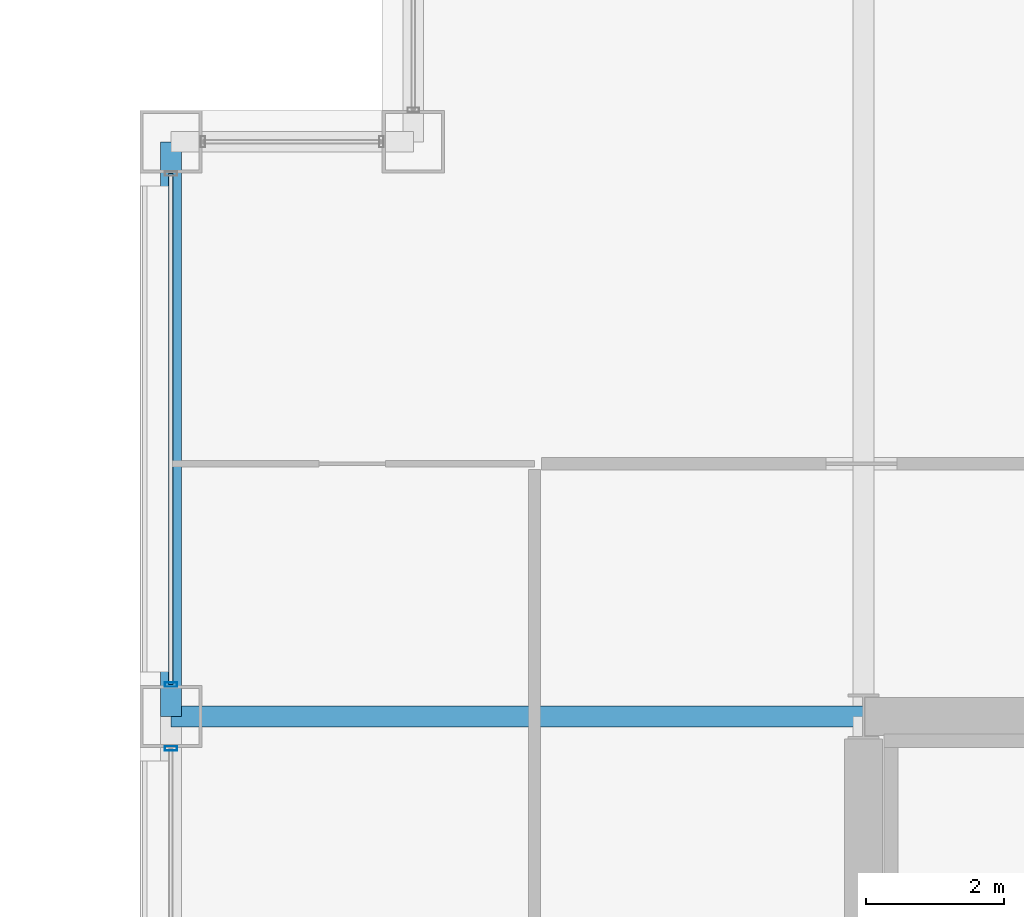
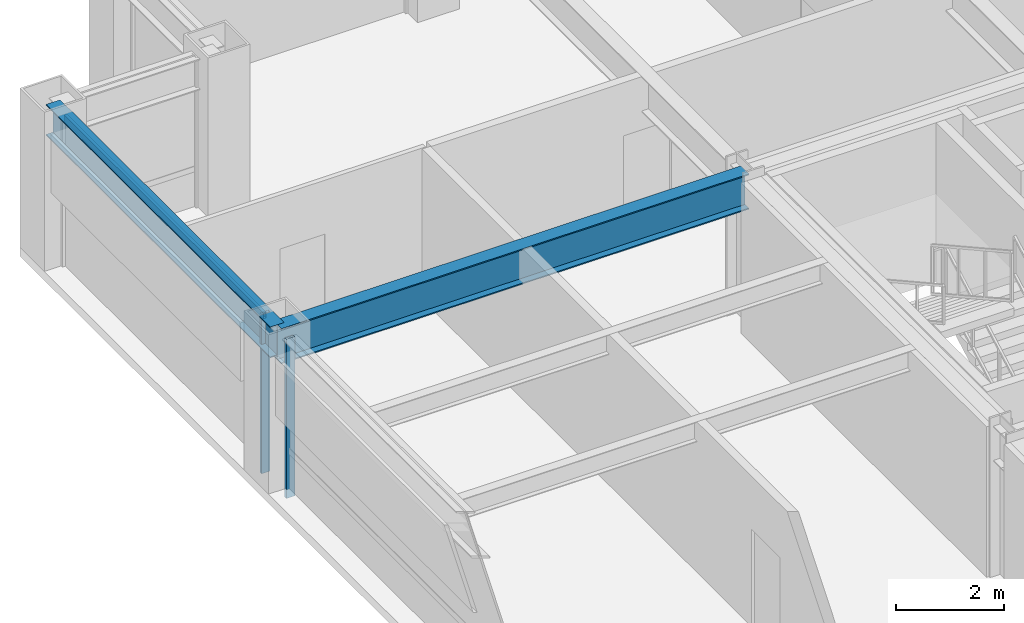
# One storey, part 13 of 28: 3 members, 2 beams, 2 elements without a shape of their own.
"""IFC4 building model written with IfcOpenShell, lengths in metres."""

from ifc_helpers import new_model, si_unit, direction, frame, origin, origin_2d, place, context, subcontext, project, spatial, hollow_rectangle, i_section, extrude, material, layer, layer_set, material_profile, profile_set, type_object, element, aggregate, save


model = new_model("IFC4")

# Units and contexts
model_context = context("Model", 3, precision=1e-05, world=origin(), true_north=direction((0.0, 1.0)))
body_context = subcontext(model_context, "Body", "Model", "MODEL_VIEW")
ifc_project = project(units=[si_unit("LENGTHUNIT", "METRE"), si_unit("AREAUNIT", "SQUARE_METRE"), si_unit("VOLUMEUNIT", "CUBIC_METRE"), si_unit("PLANEANGLEUNIT", "RADIAN"), si_unit("MASSUNIT", "GRAM", prefix="KILO")], contexts=[model_context])

# Site, building, storey
site_placement = place(None, origin())
site = spatial("IfcSite", under=ifc_project, at=site_placement, CompositionType="ELEMENT")
building_placement = place(site_placement, origin())
building = spatial("IfcBuilding", under=site, at=building_placement, Name="Brelmoor Portico Tower", CompositionType="ELEMENT")
storey_placement = place(building_placement, frame((0.0, 0.0, 70.800048828125)))
storey = spatial("IfcBuildingStorey", under=building, at=storey_placement, Name="L18", CompositionType="ELEMENT", Elevation=70.800048828125)

# Beams
ifc_material_1 = material(Name="Steel Q355B", Category="steel")
ifc_material_profile_1 = material_profile(ifc_material_1, i_section(OverallWidth=0.300048828125, OverallDepth=0.800048828125, WebThickness=0.013916015625, FlangeThickness=0.02587890625, at=origin_2d()), Name="HN 800x300x14x26")
ifc_profile_set_1 = profile_set([ifc_material_profile_1], Name="Steel Q355B")
beam_type_1 = type_object("IfcBeamType", Name="BM-PG-800", PredefinedType="BEAM", material=ifc_profile_set_1)
beam_1_placement = place(storey_placement, frame((-24.550048828125, 9.75, 3.0), z_axis=(1.0, 0.0, 0.0), x_axis=(0.0, 1.0, 0.0)))
element("IfcBeam", 1, at=beam_1_placement, inside=storey, type_object=beam_type_1, Name="L18 Primary Floor Girder PG-27", PredefinedType="BEAM", context=body_context, shape_type="SweptSolid", body=[
    extrude(i_section(OverallWidth=0.300048828125, OverallDepth=0.800048828125, WebThickness=0.013916015625, FlangeThickness=0.02587890625, at=origin_2d()), origin(), (0.0, 0.0, 1.0), 10.0),
])
ifc_material_profile_2 = material_profile(ifc_material_1, i_section(OverallWidth=0.300048828125, OverallDepth=0.699951171875, WebThickness=0.012939453125, FlangeThickness=0.02392578125, at=origin_2d()), Name="HN 700x300x13x24")
ifc_profile_set_2 = profile_set([ifc_material_profile_2], Name="Steel Q355B")
beam_type_2 = type_object("IfcBeamType", Name="BM-SP-700", PredefinedType="SPANDREL", material=ifc_profile_set_2)
beam_2_placement = place(storey_placement, frame((-24.550048828125, 9.75, 3.050048828125), z_axis=(0.0, 1.0, 0.0), x_axis=(-1.0, 0.0, 0.0)))
element("IfcBeam", 2, at=beam_2_placement, inside=storey, type_object=beam_type_2, Name="L18 Perimeter Spandrel Beam SP-17", PredefinedType="SPANDREL", context=body_context, shape_type="SweptSolid", body=[
    extrude(i_section(OverallWidth=0.300048828125, OverallDepth=0.699951171875, WebThickness=0.012939453125, FlangeThickness=0.02392578125, at=origin_2d()), origin(), (0.0, 0.0, 1.0), 8.300048828125),
])

# Curtain wall, member
ifc_material_2 = material(Name="Anodised Aluminium Alloy 6063-T6", Category="aluminium")
ifc_layer_1 = layer(ifc_material_2, 0.179931640625)
ifc_layer_set_1 = layer_set([ifc_layer_1], Name="Anodised Aluminium Alloy 6063-T6")
curtain_wall_type_1 = type_object("IfcCurtainWallType", Name="CW-TOWER-Z1", PredefinedType="NOTDEFINED", material=ifc_layer_set_1)
curtain_wall_1_placement = place(storey_placement, origin())
curtain_wall_1 = element("IfcCurtainWall", 3, at=curtain_wall_1_placement, inside=storey, type_object=curtain_wall_type_1, Name="L18 Curtain Wall CW-L18-3R-1", PredefinedType="NOTDEFINED")
ifc_material_profile_3 = material_profile(ifc_material_2, hollow_rectangle(XDim=0.06494140625, YDim=0.179931640625, WallThickness=0.00390625, at=origin_2d()), Name="ALU MULLION 65x180")
ifc_profile_set_3 = profile_set([ifc_material_profile_3], Name="Anodised Aluminium Alloy 6063-T6")
member_type_1 = type_object("IfcMemberType", Name="MB-CW-MULL-180", PredefinedType="MULLION", material=ifc_profile_set_3)
member_1_placement = place(storey_placement, frame((-24.550048828125, 9.2900390625, -0.199951171875), z_axis=(0.0, 0.0, 1.0), x_axis=(0.0, 1.0, 0.0)))
member_1 = element("IfcMember", 4, at=member_1_placement, type_object=member_type_1, Name="CW-L18-3R-1 Mullion 01", PredefinedType="MULLION", context=body_context, shape_type="SweptSolid", body=[
    extrude(hollow_rectangle(XDim=0.06494140625, YDim=0.179931640625, WallThickness=0.00390625, at=origin_2d()), origin(), (0.0, 0.0, 1.0), 3.599853515625),
])
aggregate(curtain_wall_1, [member_1])

# Curtain wall, members
ifc_layer_2 = layer(ifc_material_2, 0.179931640625)
ifc_layer_set_2 = layer_set([ifc_layer_2], Name="Anodised Aluminium Alloy 6063-T6")
curtain_wall_type_2 = type_object("IfcCurtainWallType", Name="CW-TOWER-Z1-XB", PredefinedType="NOTDEFINED", material=ifc_layer_set_2)
curtain_wall_2_placement = place(storey_placement, origin())
curtain_wall_2 = element("IfcCurtainWall", 5, at=curtain_wall_2_placement, inside=storey, type_object=curtain_wall_type_2, Name="L18 Curtain Wall CW-L18-3R-2", PredefinedType="NOTDEFINED")
member_2_placement = place(storey_placement, frame((-24.550048828125, 10.2099609375, -0.199951171875), z_axis=(0.0, 0.0, 1.0), x_axis=(0.0, 1.0, 0.0)))
member_2 = element("IfcMember", 6, at=member_2_placement, type_object=member_type_1, Name="CW-L18-3R-2 Mullion 00", PredefinedType="MULLION", context=body_context, shape_type="SweptSolid", body=[
    extrude(hollow_rectangle(XDim=0.06494140625, YDim=0.179931640625, WallThickness=0.00390625, at=origin_2d()), origin(), (0.0, 0.0, 1.0), 3.599853515625),
])
ifc_material_profile_4 = material_profile(ifc_material_2, hollow_rectangle(XDim=0.06494140625, YDim=0.139892578125, WallThickness=0.00390625, at=origin_2d()), Name="ALU TRANSOM 65x140")
ifc_profile_set_4 = profile_set([ifc_material_profile_4], Name="Anodised Aluminium Alloy 6063-T6")
member_type_2 = type_object("IfcMemberType", Name="MB-CW-TRAN-140", PredefinedType="USERDEFINED", material=ifc_profile_set_4)
member_3_placement = place(storey_placement, frame((-24.550048828125, 10.2099609375, 3.329833984375), z_axis=(0.0, 1.0, 0.0), x_axis=(-1.0, 0.0, 0.0)))
member_3 = element("IfcMember", 7, at=member_3_placement, type_object=member_type_2, Name="CW-L18-3R-2 Transom 1-00", ObjectType="TRANSOM", PredefinedType="USERDEFINED", context=body_context, shape_type="SweptSolid", body=[
    extrude(hollow_rectangle(XDim=0.06494140625, YDim=0.139892578125, WallThickness=0.00390625, at=origin_2d()), origin(), (0.0, 0.0, 1.0), 7.380126953125),
])
aggregate(curtain_wall_2, [member_2, member_3])

save(model, "model.ifc")
